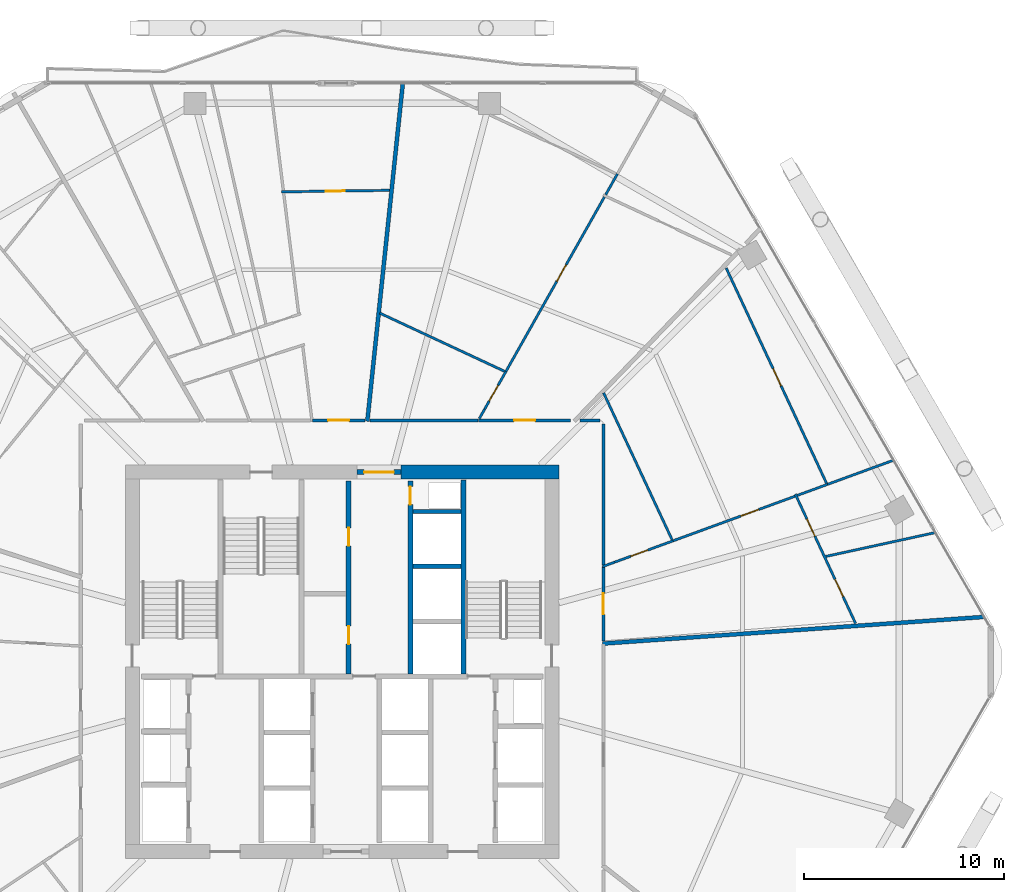
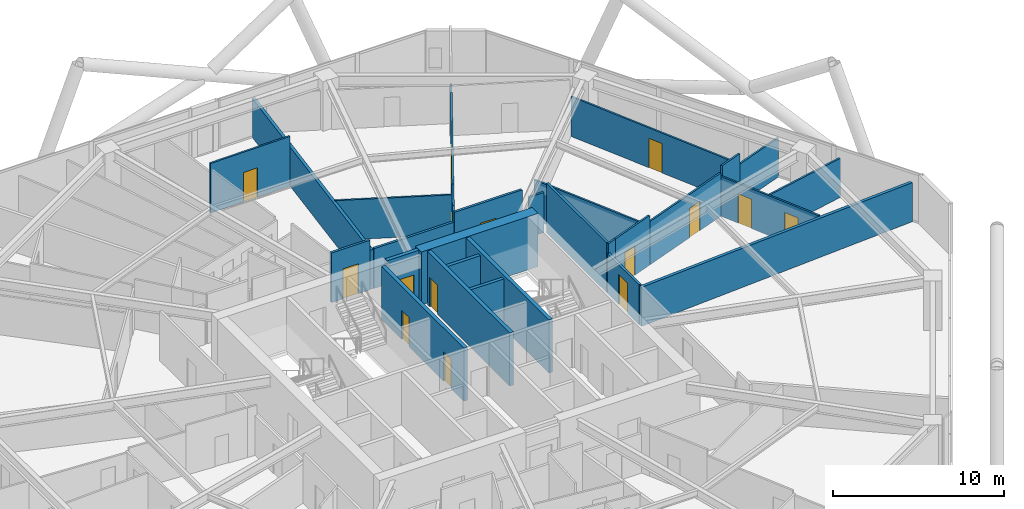
# One storey, part 31 of 35: 30 walls, 15 doors, 15 openings.
"""IFC4 building model written with IfcOpenShell, lengths in metres."""

import ifcopenshell
import ifcopenshell.guid

model = None  # the IFC model being written
_history = None  # IfcOwnerHistory: only IFC2X3 demands one
_inside = {}  # id of a spatial element -> (the spatial element, [elements in it])
_under = {}  # id of a project, library or spatial element -> (it, [spatial elements below it])
_declared = {}  # id of a project -> (the project, [libraries it declares])
_typed = {}  # id of a type object -> (the type object, [elements of that type])
_made_of = {}  # id of a material, layer set ... -> (it, [elements and type objects made of it])


def new_model(schema):
    """Start an empty IFC model of exactly this schema.

    Asked for "IFC4X3", IfcOpenShell would pick the latest addendum, in which some entities
    have other attributes; the version numbers below select the first issue.
    IFC2X3 requires an IfcOwnerHistory on every rooted entity: one is made here for all.
    """
    global model, _history
    if schema == "IFC4X3":
        model = ifcopenshell.file(schema_version=(4, 3, 0, 0))
    else:
        model = ifcopenshell.file(schema=schema)
    _inside.clear()
    _under.clear()
    _declared.clear()
    _typed.clear()
    _made_of.clear()
    _history = None
    if model.schema == "IFC2X3":
        org = make("IfcOrganization", Name="unknown")
        user = make(
            "IfcPersonAndOrganization",
            ThePerson=make("IfcPerson", FamilyName="unknown"),
            TheOrganization=org,
        )
        app = make(
            "IfcApplication",
            ApplicationDeveloper=org,
            Version="unknown",
            ApplicationFullName="unknown",
            ApplicationIdentifier="unknown",
        )
        _history = make(
            "IfcOwnerHistory",
            OwningUser=user,
            OwningApplication=app,
            ChangeAction="ADDED",
            CreationDate=0,
        )
    return model


def make(cls, **values):
    """One entity of the class cls with the attributes given. An attribute that is None is left unset."""
    return model.create_entity(
        cls, **{name: value for name, value in values.items() if value is not None}
    )


def rooted(cls, **values):
    """An entity with a GlobalId (a new one), such as an element, a storey or a relation."""
    return make(cls, GlobalId=ifcopenshell.guid.new(), OwnerHistory=_history, **values)


def si_unit(unit_type, name, prefix=None):
    """IfcSIUnit, for example si_unit("LENGTHUNIT", "METRE", prefix="MILLI")."""
    return make("IfcSIUnit", UnitType=unit_type, Prefix=prefix, Name=name)


def assignment(units):
    """IfcUnitAssignment: the units of a project."""
    return None if units is None else make("IfcUnitAssignment", Units=units)


def point(xyz):
    """IfcCartesianPoint."""
    return None if xyz is None else make("IfcCartesianPoint", Coordinates=xyz)


def direction(xyz):
    """IfcDirection."""
    return None if xyz is None else make("IfcDirection", DirectionRatios=xyz)


def frame(location, z_axis=None, x_axis=None):
    """IfcAxis2Placement3D, a coordinate frame: its origin and axes. An axis left out is left unset."""
    return make(
        "IfcAxis2Placement3D",
        Location=point(location),
        Axis=direction(z_axis),
        RefDirection=direction(x_axis),
    )


def frame_2d(location, x_axis=None):
    """IfcAxis2Placement2D, a coordinate frame in the plane: its origin and x axis."""
    return make(
        "IfcAxis2Placement2D", Location=point(location), RefDirection=direction(x_axis)
    )


def origin():
    """The frame at (0, 0, 0) with its axes left unset."""
    return frame((0.0, 0.0, 0.0))


def place(relative_to, where):
    """IfcLocalPlacement: puts the frame where relative to a parent placement (None: the world)."""
    return make(
        "IfcLocalPlacement", PlacementRelTo=relative_to, RelativePlacement=where
    )


def context(
    kind, dimensions, precision=None, world=None, true_north=None, identifier=None
):
    """IfcGeometricRepresentationContext, for example the 3D "Model" context."""
    return make(
        "IfcGeometricRepresentationContext",
        ContextIdentifier=identifier,
        ContextType=kind,
        CoordinateSpaceDimension=dimensions,
        Precision=precision,
        WorldCoordinateSystem=world,
        TrueNorth=true_north,
    )


def subcontext(parent, identifier, kind, view, scale=None):
    """IfcGeometricRepresentationSubContext, for example "Body" below "Model"."""
    return make(
        "IfcGeometricRepresentationSubContext",
        ContextIdentifier=identifier,
        ContextType=kind,
        ParentContext=parent,
        TargetScale=scale,
        TargetView=view,
    )


def project(units=None, contexts=None):
    """IfcProject with its units and contexts."""
    return rooted(
        "IfcProject",
        Name="project",
        RepresentationContexts=contexts,
        UnitsInContext=assignment(units),
    )


def spatial(cls, under=None, at=None, **own):
    """A site, building, storey or space (cls), placed at a placement, below another one or the project."""
    s = rooted(cls, ObjectPlacement=at, **own)
    if under is not None:
        _under.setdefault(under.id(), (under, []))[1].append(s)
    return s


def profile(cls, at=None, kind="AREA", **sizes):
    """A parametric profile (cls). Its sizes go by their IFC names, for example OverallWidth=200.0."""
    return make(cls, ProfileType=kind, Position=at, **sizes)


def rectangle(**sizes):
    """IfcRectangleProfileDef."""
    return profile("IfcRectangleProfileDef", **sizes)


def extrude(swept, where, along, depth):
    """IfcExtrudedAreaSolid: the profile swept, set in the frame where, extruded along a direction by depth."""
    return make(
        "IfcExtrudedAreaSolid",
        SweptArea=swept,
        Position=where,
        ExtrudedDirection=direction(along),
        Depth=depth,
    )


def shape(context_of_items, identifier, shape_type, items):
    """IfcShapeRepresentation: the items that make up one representation, for example the "Body"."""
    return make(
        "IfcShapeRepresentation",
        ContextOfItems=context_of_items,
        RepresentationIdentifier=identifier,
        RepresentationType=shape_type,
        Items=items,
    )


def material(Name=None, Category=None):
    """IfcMaterial."""
    return make("IfcMaterial", Name=Name, Category=Category)


def layer(
    of_material, thickness, ventilated=None, Name=None, Category=None, Priority=None
):
    """IfcMaterialLayer: one layer of a wall or slab, of a material (None: an air gap)."""
    return make(
        "IfcMaterialLayer",
        Material=of_material,
        LayerThickness=thickness,
        IsVentilated=ventilated,
        Name=Name,
        Category=Category,
        Priority=Priority,
    )


def layer_set(layers, Name=None):
    """IfcMaterialLayerSet."""
    return make("IfcMaterialLayerSet", MaterialLayers=layers, LayerSetName=Name)


def made_of(thing, what):
    """Note that an element or type object is made of a material, layer set ...; save() writes the relation."""
    if what is not None:
        _made_of.setdefault(what.id(), (what, []))[1].append(thing)
    return thing


def type_object(cls, material=None, **own):
    """A type object (cls), such as IfcWallType, which elements share."""
    return made_of(rooted(cls, **own), material)


def element(
    cls,
    number,
    at=None,
    inside=None,
    cuts=None,
    type_object=None,
    material=None,
    context=None,
    identifier="Body",
    shape_type=None,
    held_by="IfcProductDefinitionShape",
    body=None,
    shapes=None,
    **own,
):
    """One element of the class cls, such as IfcWall. Its Tag is "e" and its number.

    at: its placement. inside: the storey or other place that contains it. cuts: it is an
    opening in that element (IfcRelVoidsElement). A single representation is given by context,
    identifier, shape_type and body (its items); several are given by shapes. held_by: the class
    of the entity that holds the representations. save() writes the other relations.
    """
    e = rooted(cls, Tag="e%d" % number, ObjectPlacement=at, **own)
    if body is not None:
        shapes = [shape(context, identifier, shape_type, body)]
    if shapes is not None:
        e.Representation = make(held_by, Representations=shapes)
    if inside is not None:
        _inside.setdefault(inside.id(), (inside, []))[1].append(e)
    if cuts is not None:
        rooted(
            "IfcRelVoidsElement", RelatingBuildingElement=cuts, RelatedOpeningElement=e
        )
    if type_object is not None:
        _typed.setdefault(type_object.id(), (type_object, []))[1].append(e)
    return made_of(e, material)


def fill(opening, filler):
    """IfcRelFillsElement: the door or window that sits in an opening."""
    return rooted(
        "IfcRelFillsElement",
        RelatingOpeningElement=opening,
        RelatedBuildingElement=filler,
    )


def aggregate(whole, parts):
    """IfcRelAggregates: a whole, such as a stair, and the parts it consists of."""
    return rooted("IfcRelAggregates", RelatingObject=whole, RelatedObjects=parts)


def save(model, path):
    """Write the relations noted so far, then the file.

    IfcRelAggregates (storeys below a building ...), IfcRelContainedInSpatialStructure (elements
    in a storey), IfcRelDefinesByType, IfcRelAssociatesMaterial and IfcRelDeclares: one each for
    every whole, place, type object, material and project.
    """
    for whole, parts in _under.values():
        aggregate(whole, parts)
    for where, things in _inside.values():
        rooted(
            "IfcRelContainedInSpatialStructure",
            RelatedElements=things,
            RelatingStructure=where,
        )
    for kind, things in _typed.values():
        rooted("IfcRelDefinesByType", RelatedObjects=things, RelatingType=kind)
    for what, things in _made_of.values():
        rooted("IfcRelAssociatesMaterial", RelatedObjects=things, RelatingMaterial=what)
    for by, libraries in _declared.values():
        rooted("IfcRelDeclares", RelatingContext=by, RelatedDefinitions=libraries)
    model.write(path)


model = new_model("IFC4")

# Units and contexts
model_context = context("Model", 3, precision=1e-05, world=origin(), true_north=direction((0.0, 1.0)))
body_context = subcontext(model_context, "Body", "Model", "MODEL_VIEW")
ifc_project = project(units=[si_unit("LENGTHUNIT", "METRE"), si_unit("AREAUNIT", "SQUARE_METRE"), si_unit("VOLUMEUNIT", "CUBIC_METRE"), si_unit("PLANEANGLEUNIT", "RADIAN"), si_unit("MASSUNIT", "GRAM", prefix="KILO")], contexts=[model_context])

# Site, building, storey
site_placement = place(None, origin())
site = spatial("IfcSite", under=ifc_project, at=site_placement, CompositionType="ELEMENT")
building_placement = place(site_placement, origin())
building = spatial("IfcBuilding", under=site, at=building_placement, Name="Zuhravey Tower", CompositionType="ELEMENT")
storey_placement = place(building_placement, frame((0.0, 0.0, 92.39990234375)))
storey = spatial("IfcBuildingStorey", under=building, at=storey_placement, Name="L22", CompositionType="ELEMENT", Elevation=92.39990234375)

# Wall
ifc_material_1 = material(Name="Concrete C60/75", Category="concrete")
ifc_layer_1 = layer(ifc_material_1, 0.699951171875)
ifc_layer_set_1 = layer_set([ifc_layer_1], Name="Concrete C60/75")
wall_type_1 = type_object("IfcWallType", Name="Core Shear Wall 700", PredefinedType="SHEAR", material=ifc_layer_set_1)
wall_1_placement = place(storey_placement, frame((46.85009765625, 41.5, 0.0), z_axis=(0.0, 0.0, 1.0), x_axis=(-1.0, 0.0, 0.0)))
element("IfcWall", 1, at=wall_1_placement, inside=storey, type_object=wall_type_1, Name="L22 North-East Core Shear Wall CW70", PredefinedType="SHEAR", context=body_context, shape_type="SweptSolid", body=[
    extrude(rectangle(XDim=7.900146484375, YDim=0.699951171875, at=frame_2d((3.9501953125, 0.0))), origin(), (0.0, 0.0, 1.0), 3.800048828125),
])

# Wall, opening, door
ifc_material_2 = material(Name="Gypsum fire-rated stud partition")
ifc_layer_2 = layer(ifc_material_2, 0.159912109375)
ifc_layer_set_2 = layer_set([ifc_layer_2], Name="Gypsum fire-rated stud partition")
wall_type_2 = type_object("IfcWallType", Name="Corridor Fire Partition 160", PredefinedType="PARTITIONING", material=ifc_layer_set_2)
wall_2_placement = place(storey_placement, frame((49.080078125, 33.049560546875, 0.0), z_axis=(0.0, 0.0, 1.0), x_axis=(0.0, 1.0, 0.0)))
wall_2 = element("IfcWall", 2, at=wall_2_placement, inside=storey, type_object=wall_type_2, Name="L22 IW16 Partition 024", PredefinedType="PARTITIONING", context=body_context, shape_type="SweptSolid", body=[
    extrude(rectangle(XDim=3.71044921875, YDim=0.159912109375, at=frame_2d((1.855224609375, 0.0))), origin(), (0.0, 0.0, 1.0), 2.85009765625),
])
opening_1_placement = place(wall_2_placement, frame((1.330322265625, 0.0, 0.0)))
opening_1 = element("IfcOpeningElement", 3, at=opening_1_placement, cuts=wall_2, Name="Opening APD1", PredefinedType="OPENING", context=body_context, shape_type="SweptSolid", body=[
    extrude(rectangle(XDim=1.050048828125, YDim=2.14990234375, at=frame_2d((0.52490234375, 1.074951171875))), frame((0.0, 0.092041015625, 0.0), z_axis=(0.0, -1.0, 0.0), x_axis=(1.0, 0.0, 0.0)), (0.0, 0.0, 1.0), 0.183837890625),
])
ifc_material_3 = material(Name="Solid-core oak fire-rated leaf")
door_type_1 = type_object("IfcDoorType", Name="Apartment Entrance Fire Door 1050x2150", OperationType="NOTDEFINED", PredefinedType="DOOR", material=ifc_material_3)
door_1_placement = place(opening_1_placement, frame((1.050048828125, 0.0, 0.0), z_axis=(0.0, 0.0, 1.0), x_axis=(-1.0, 0.0, 0.0)))
door_1 = element("IfcDoor", 4, at=door_1_placement, inside=storey, type_object=door_type_1, Name="L22 Door 024.1", OperationType="SINGLE_SWING_LEFT", OverallHeight=2.14990234375, OverallWidth=1.050048828125, PredefinedType="DOOR", context=body_context, shape_type="SweptSolid", body=[
    extrude(rectangle(XDim=1.050048828125, YDim=2.14990234375, at=frame_2d((0.52490234375, 1.074951171875))), frame((0.0, 0.02490234375, 0.0), z_axis=(0.0, -1.0, 0.0), x_axis=(1.0, 0.0, 0.0)), (0.0, 0.0, 1.0), 0.050048828125),
])
fill(opening_1, door_1)

wall_3_placement = place(storey_placement, frame((47.435791015625, 44.080078125, 0.0), z_axis=(0.0, 0.0, 1.0), x_axis=(-1.0, 0.0, 0.0)))
wall_3 = element("IfcWall", 5, at=wall_3_placement, inside=storey, type_object=wall_type_2, Name="L22 IW16 Partition 030", PredefinedType="PARTITIONING", context=body_context, shape_type="SweptSolid", body=[
    extrude(rectangle(XDim=4.594970703125, YDim=0.159912109375, at=frame_2d((2.29736328125, 0.0))), origin(), (0.0, 0.0, 1.0), 3.550048828125),
])
opening_2_placement = place(wall_3_placement, frame((1.7724609375, 0.0, 0.0)))
opening_2 = element("IfcOpeningElement", 6, at=opening_2_placement, cuts=wall_3, Name="Opening APD1", PredefinedType="OPENING", context=body_context, shape_type="SweptSolid", body=[
    extrude(rectangle(XDim=1.050048828125, YDim=2.14990234375, at=frame_2d((0.52490234375, 1.074951171875))), frame((0.0, 0.092041015625, 0.0), z_axis=(0.0, -1.0, 0.0), x_axis=(1.0, 0.0, 0.0)), (0.0, 0.0, 1.0), 0.183837890625),
])
door_2_placement = place(opening_2_placement, frame((1.050048828125, 0.0, 0.0), z_axis=(0.0, 0.0, 1.0), x_axis=(-1.0, 0.0, 0.0)))
door_2 = element("IfcDoor", 7, at=door_2_placement, inside=storey, type_object=door_type_1, Name="L22 Door 030.1", OperationType="SINGLE_SWING_RIGHT", OverallHeight=2.14990234375, OverallWidth=1.050048828125, PredefinedType="DOOR", context=body_context, shape_type="SweptSolid", body=[
    extrude(rectangle(XDim=1.050048828125, YDim=2.14990234375, at=frame_2d((0.52490234375, 1.074951171875))), frame((0.0, 0.02490234375, 0.0), z_axis=(0.0, -1.0, 0.0), x_axis=(1.0, 0.0, 0.0)), (0.0, 0.0, 1.0), 0.050048828125),
])
fill(opening_2, door_2)

wall_4_placement = place(storey_placement, frame((37.14306640625, 44.080078125, 0.0), z_axis=(0.0, 0.0, 1.0), x_axis=(-1.0, 0.0, 0.0)))
wall_4 = element("IfcWall", 8, at=wall_4_placement, inside=storey, type_object=wall_type_2, Name="L22 IW16 Partition 034", PredefinedType="PARTITIONING", context=body_context, shape_type="SweptSolid", body=[
    extrude(rectangle(XDim=2.627685546875, YDim=0.159912109375, at=frame_2d((1.31396484375, 0.0))), origin(), (0.0, 0.0, 1.0), 3.550048828125),
])
opening_3_placement = place(wall_4_placement, frame((0.788818359375, 0.0, 0.0)))
opening_3 = element("IfcOpeningElement", 9, at=opening_3_placement, cuts=wall_4, Name="Opening APD1", PredefinedType="OPENING", context=body_context, shape_type="SweptSolid", body=[
    extrude(rectangle(XDim=1.050048828125, YDim=2.14990234375, at=frame_2d((0.52490234375, 1.074951171875))), frame((0.0, 0.092041015625, 0.0), z_axis=(0.0, -1.0, 0.0), x_axis=(1.0, 0.0, 0.0)), (0.0, 0.0, 1.0), 0.183837890625),
])
door_3_placement = place(opening_3_placement, frame((1.050048828125, 0.0, 0.0), z_axis=(0.0, 0.0, 1.0), x_axis=(-1.0, 0.0, 0.0)))
door_3 = element("IfcDoor", 10, at=door_3_placement, inside=storey, type_object=door_type_1, Name="L22 Door 034.1", OperationType="SINGLE_SWING_RIGHT", OverallHeight=2.14990234375, OverallWidth=1.050048828125, PredefinedType="DOOR", context=body_context, shape_type="SweptSolid", body=[
    extrude(rectangle(XDim=1.050048828125, YDim=2.14990234375, at=frame_2d((0.52490234375, 1.074951171875))), frame((0.0, 0.02490234375, 0.0), z_axis=(0.0, -1.0, 0.0), x_axis=(1.0, 0.0, 0.0)), (0.0, 0.0, 1.0), 0.050048828125),
])
fill(opening_3, door_3)

# Walls
wall_5_placement = place(storey_placement, frame((49.080078125, 36.853759765625, 0.0), z_axis=(0.0, 0.0, 1.0), x_axis=(0.0, 1.0, 0.0)))
element("IfcWall", 11, at=wall_5_placement, inside=storey, type_object=wall_type_2, Name="L22 IW16 Partition 119", PredefinedType="PARTITIONING", context=body_context, shape_type="SweptSolid", body=[
    extrude(rectangle(XDim=7.046142578125, YDim=0.159912109375, at=frame_2d((3.52294921875, 0.0))), origin(), (0.0, 0.0, 1.0), 3.550048828125),
])
wall_6_placement = place(storey_placement, frame((48.89990234375, 44.080078125, 0.0), z_axis=(0.0, 0.0, 1.0), x_axis=(-1.0, 0.0, 0.0)))
element("IfcWall", 12, at=wall_6_placement, inside=storey, type_object=wall_type_2, Name="L22 IW16 Partition 120", PredefinedType="PARTITIONING", context=body_context, shape_type="SweptSolid", body=[
    extrude(rectangle(XDim=1.0009765625, YDim=0.159912109375, at=frame_2d((0.50048828125, 0.0))), origin(), (0.0, 0.0, 1.0), 2.85009765625),
])
wall_7_placement = place(storey_placement, frame((42.794921875, 44.080078125, 0.0), z_axis=(0.0, 0.0, 1.0), x_axis=(-1.0, 0.0, 0.0)))
element("IfcWall", 13, at=wall_7_placement, inside=storey, type_object=wall_type_2, Name="L22 IW16 Partition 121", PredefinedType="PARTITIONING", context=body_context, shape_type="SweptSolid", body=[
    extrude(rectangle(XDim=5.3984375, YDim=0.159912109375, at=frame_2d((2.69921875, 0.0))), origin(), (0.0, 0.0, 1.0), 2.85009765625),
])

# Wall, opening, door
ifc_material_4 = material(Name="Concrete C50/60", Category="concrete")
ifc_layer_3 = layer(ifc_material_4, 0.25)
ifc_layer_set_3 = layer_set([ifc_layer_3], Name="Concrete C50/60")
wall_type_3 = type_object("IfcWallType", Name="Firefighting Shaft & Stair Wall 250", PredefinedType="SOLIDWALL", material=ifc_layer_set_3)
wall_8_placement = place(storey_placement, frame((36.760009765625, 41.5, 0.0), z_axis=(0.0, 0.0, 1.0), x_axis=(1.0, 0.0, 0.0)))
wall_8 = element("IfcWall", 14, at=wall_8_placement, inside=storey, type_object=wall_type_3, Name="L22 FW25 Shaft Wall 002", PredefinedType="SOLIDWALL", context=body_context, shape_type="SweptSolid", body=[
    extrude(rectangle(XDim=2.179931640625, YDim=0.25, at=frame_2d((1.08984375, 0.0))), origin(), (0.0, 0.0, 1.0), 3.800048828125),
])
opening_4_placement = place(wall_8_placement, frame((0.340087890625, 0.0, 0.0)))
opening_4 = element("IfcOpeningElement", 15, at=opening_4_placement, cuts=wall_8, Name="Opening FFD1", PredefinedType="OPENING", context=body_context, shape_type="SweptSolid", body=[
    extrude(rectangle(XDim=1.5, YDim=2.14990234375, at=frame_2d((0.75, 1.074951171875))), frame((0.0, 0.136962890625, 0.0), z_axis=(0.0, -1.0, 0.0), x_axis=(1.0, 0.0, 0.0)), (0.0, 0.0, 1.0), 0.27392578125),
])
ifc_material_5 = material(Name="Galvanised fire-rated steel leaf", Category="steel")
door_type_2 = type_object("IfcDoorType", Name="Firefighting Lobby Double Door 1500x2150", OperationType="DOUBLE_DOOR_SINGLE_SWING", PredefinedType="DOOR", material=ifc_material_5)
door_4_placement = place(opening_4_placement, origin())
door_4 = element("IfcDoor", 16, at=door_4_placement, inside=storey, type_object=door_type_2, Name="L22 North Lift Lobby Exit Door", OperationType="DOUBLE_DOOR_SINGLE_SWING", OverallHeight=2.14990234375, OverallWidth=1.5, PredefinedType="DOOR", context=body_context, shape_type="SweptSolid", body=[
    extrude(rectangle(XDim=1.5, YDim=2.14990234375, at=frame_2d((0.75, 1.074951171875))), frame((0.0, 0.02490234375, 0.0), z_axis=(0.0, -1.0, 0.0), x_axis=(1.0, 0.0, 0.0)), (0.0, 0.0, 1.0), 0.050048828125),
])
fill(opening_4, door_4)

# Wall
wall_9_placement = place(storey_placement, frame((42.074951171875, 31.39990234375, 0.0), z_axis=(0.0, 0.0, 1.0), x_axis=(0.0, 1.0, 0.0)))
element("IfcWall", 17, at=wall_9_placement, inside=storey, type_object=wall_type_3, Name="L22 FW25 Shaft Wall 006", PredefinedType="SOLIDWALL", context=body_context, shape_type="SweptSolid", body=[
    extrude(rectangle(XDim=9.7001953125, YDim=0.25, at=frame_2d((4.85009765625, 0.0))), origin(), (0.0, 0.0, 1.0), 3.800048828125),
])

# Wall, openings, doors
wall_10_placement = place(storey_placement, frame((36.324951171875, 31.39990234375, 0.0), z_axis=(0.0, 0.0, 1.0), x_axis=(0.0, 1.0, 0.0)))
wall_10 = element("IfcWall", 18, at=wall_10_placement, inside=storey, type_object=wall_type_3, Name="L22 FW25 Shaft Wall 007", PredefinedType="SOLIDWALL", context=body_context, shape_type="SweptSolid", body=[
    extrude(rectangle(XDim=9.650146484375, YDim=0.25, at=frame_2d((4.8251953125, 0.0))), origin(), (0.0, 0.0, 1.0), 3.800048828125),
])
opening_5_placement = place(wall_10_placement, frame((1.489990234375, 0.0, 0.0)))
opening_5 = element("IfcOpeningElement", 19, at=opening_5_placement, cuts=wall_10, Name="Opening RSD1", PredefinedType="OPENING", context=body_context, shape_type="SweptSolid", body=[
    extrude(rectangle(XDim=0.89990234375, YDim=2.10009765625, at=frame_2d((0.449951171875, 1.050048828125))), frame((0.0, 0.136962890625, 0.0), z_axis=(0.0, -1.0, 0.0), x_axis=(1.0, 0.0, 0.0)), (0.0, 0.0, 1.0), 0.27392578125),
])
opening_6_placement = place(wall_10_placement, frame((6.409912109375, 0.0, 0.0)))
opening_6 = element("IfcOpeningElement", 20, at=opening_6_placement, cuts=wall_10, Name="Opening RSD1", PredefinedType="OPENING", context=body_context, shape_type="SweptSolid", body=[
    extrude(rectangle(XDim=0.89990234375, YDim=2.10009765625, at=frame_2d((0.449951171875, 1.050048828125))), frame((0.0, 0.136962890625, 0.0), z_axis=(0.0, -1.0, 0.0), x_axis=(1.0, 0.0, 0.0)), (0.0, 0.0, 1.0), 0.27392578125),
])
ifc_material_6 = material(Name="Galvanised fire-rated steel access leaf", Category="steel")
door_type_3 = type_object("IfcDoorType", Name="Riser & Shaft Access Fire Door 900x2100", OperationType="NOTDEFINED", PredefinedType="DOOR", material=ifc_material_6)
door_5_placement = place(opening_5_placement, origin())
door_5 = element("IfcDoor", 21, at=door_5_placement, inside=storey, type_object=door_type_3, Name="L22 Core Cleaner Store Door", OperationType="SINGLE_SWING_RIGHT", OverallHeight=2.10009765625, OverallWidth=0.89990234375, PredefinedType="DOOR", context=body_context, shape_type="SweptSolid", body=[
    extrude(rectangle(XDim=0.89990234375, YDim=2.10009765625, at=frame_2d((0.449951171875, 1.050048828125))), frame((0.0, 0.02490234375, 0.0), z_axis=(0.0, -1.0, 0.0), x_axis=(1.0, 0.0, 0.0)), (0.0, 0.0, 1.0), 0.050048828125),
])
fill(opening_5, door_5)
door_6_placement = place(opening_6_placement, origin())
door_6 = element("IfcDoor", 22, at=door_6_placement, inside=storey, type_object=door_type_3, Name="L22 Core Pantry and Tea Room Door", OperationType="SINGLE_SWING_LEFT", OverallHeight=2.10009765625, OverallWidth=0.89990234375, PredefinedType="DOOR", context=body_context, shape_type="SweptSolid", body=[
    extrude(rectangle(XDim=0.89990234375, YDim=2.10009765625, at=frame_2d((0.449951171875, 1.050048828125))), frame((0.0, 0.02490234375, 0.0), z_axis=(0.0, -1.0, 0.0), x_axis=(1.0, 0.0, 0.0)), (0.0, 0.0, 1.0), 0.050048828125),
])
fill(opening_6, door_6)

# Wall, opening, door
wall_11_placement = place(storey_placement, frame((39.425048828125, 31.39990234375, 0.0), z_axis=(0.0, 0.0, 1.0), x_axis=(0.0, 1.0, 0.0)))
wall_11 = element("IfcWall", 23, at=wall_11_placement, inside=storey, type_object=wall_type_3, Name="L22 FW25 Shaft Wall 008", PredefinedType="SOLIDWALL", context=body_context, shape_type="SweptSolid", body=[
    extrude(rectangle(XDim=9.650146484375, YDim=0.25, at=frame_2d((4.8251953125, 0.0))), origin(), (0.0, 0.0, 1.0), 3.800048828125),
])
opening_7_placement = place(wall_11_placement, frame((8.469970703125, 0.0, 0.0)))
opening_7 = element("IfcOpeningElement", 24, at=opening_7_placement, cuts=wall_11, Name="Opening RSD1", PredefinedType="OPENING", context=body_context, shape_type="SweptSolid", body=[
    extrude(rectangle(XDim=0.89990234375, YDim=2.10009765625, at=frame_2d((0.449951171875, 1.050048828125))), frame((0.0, 0.136962890625, 0.0), z_axis=(0.0, -1.0, 0.0), x_axis=(1.0, 0.0, 0.0)), (0.0, 0.0, 1.0), 0.27392578125),
])
door_7_placement = place(opening_7_placement, origin())
door_7 = element("IfcDoor", 25, at=door_7_placement, inside=storey, type_object=door_type_3, Name="L22 North Riser Door", OperationType="SINGLE_SWING_RIGHT", OverallHeight=2.10009765625, OverallWidth=0.89990234375, PredefinedType="DOOR", context=body_context, shape_type="SweptSolid", body=[
    extrude(rectangle(XDim=0.89990234375, YDim=2.10009765625, at=frame_2d((0.449951171875, 1.050048828125))), frame((0.0, 0.02490234375, 0.0), z_axis=(0.0, -1.0, 0.0), x_axis=(1.0, 0.0, 0.0)), (0.0, 0.0, 1.0), 0.050048828125),
])
fill(opening_7, door_7)

# Walls
ifc_material_7 = material(Name="Gypsum double-stud party assembly")
ifc_layer_4 = layer(ifc_material_7, 0.199951171875)
ifc_layer_set_4 = layer_set([ifc_layer_4], Name="Gypsum double-stud party assembly")
wall_type_4 = type_object("IfcWallType", Name="Inter-Tenancy Party Wall 200", PredefinedType="PARTITIONING", material=ifc_layer_set_4)
wall_12_placement = place(storey_placement, frame((49.0400390625, 32.911865234375, 0.0), z_axis=(0.0, 0.0, 1.0), x_axis=(0.99756386753, 0.069759086856, 0.0)))
element("IfcWall", 26, at=wall_12_placement, inside=storey, type_object=wall_type_4, Name="L22 IW20 Partition 070", PredefinedType="PARTITIONING", context=body_context, shape_type="SweptSolid", body=[
    extrude(rectangle(XDim=19.147216796875, YDim=0.199951171875, at=frame_2d((9.57373046875, 0.0))), origin(), (0.0, 0.0, 1.0), 2.800048828125),
])
wall_13_placement = place(storey_placement, frame((37.265380859375, 44.0400390625, 0.0), z_axis=(0.0, 0.0, 1.0), x_axis=(0.104535371824, 0.994521169226, 0.0)))
element("IfcWall", 27, at=wall_13_placement, inside=storey, type_object=wall_type_4, Name="L22 IW20 Partition 081", PredefinedType="PARTITIONING", context=body_context, shape_type="SweptSolid", body=[
    extrude(rectangle(XDim=17.01171875, YDim=0.199951171875, at=frame_2d((8.505859375, 0.0))), origin(), (0.0, 0.0, 1.0), 2.800048828125),
])
ifc_material_8 = material(Name="Gypsum acoustic stud assembly")
ifc_layer_5 = layer(ifc_material_8, 0.219970703125)
ifc_layer_set_5 = layer_set([ifc_layer_5], Name="Gypsum acoustic stud assembly")
wall_type_5 = type_object("IfcWallType", Name="School Acoustic Compartment Wall 220", PredefinedType="PARTITIONING", material=ifc_layer_set_5)
for number, where, z_axis, x_axis, name in (
    (28, (39.55810546875, 36.77490234375, 0.0), (0.0, 0.0, 1.0), (1.0, 0.0, 0.0), "L22 IW22 Partition 064"),
    (29, (39.55810546875, 39.52490234375, 0.0), (0.0, 0.0, 1.0), (1.0, 0.0, 0.0), "L22 IW22 Partition 065"),
):
    element("IfcWall", number, at=place(storey_placement, frame(where, z_axis=z_axis, x_axis=x_axis)), inside=storey, type_object=wall_type_5, Name=name, PredefinedType="PARTITIONING", context=body_context, shape_type="SweptSolid", body=[
        extrude(rectangle(XDim=2.3837890625, YDim=0.219970703125, at=frame_2d((1.19189453125, 0.0))), origin(), (0.0, 0.0, 1.0), 3.550048828125),
    ])

# Wall, openings, doors
ifc_material_9 = material(Name="Gypsum metal-stud partition")
ifc_layer_6 = layer(ifc_material_9, 0.1201171875)
ifc_layer_set_6 = layer_set([ifc_layer_6], Name="Gypsum metal-stud partition")
wall_type_6 = type_object("IfcWallType", Name="Unit Internal Partition 120", PredefinedType="PARTITIONING", material=ifc_layer_set_6)
wall_14_placement = place(storey_placement, frame((61.703857421875, 33.922607421875, 0.0), z_axis=(0.0, 0.0, 1.0), x_axis=(-0.42261048954, 0.906311411233, 0.0)))
wall_14 = element("IfcWall", 30, at=wall_14_placement, inside=storey, type_object=wall_type_6, Name="L22 IW12 Partition 019", PredefinedType="PARTITIONING", context=body_context, shape_type="SweptSolid", body=[
    extrude(rectangle(XDim=7.1455078125, YDim=0.1201171875, at=frame_2d((3.57275390625, 0.0))), origin(), (0.0, 0.0, 1.0), 2.85009765625),
])
opening_8_placement = place(wall_14_placement, frame((1.486328125, 0.0, 0.0)))
opening_8 = element("IfcOpeningElement", 31, at=opening_8_placement, cuts=wall_14, Name="Opening IND1", PredefinedType="OPENING", context=body_context, shape_type="SweptSolid", body=[
    extrude(rectangle(XDim=0.949951171875, YDim=2.10009765625, at=frame_2d((0.47509765625, 1.050048828125))), frame((0.0, 0.072021484375, 0.0), z_axis=(0.0, -1.0, 0.0), x_axis=(1.0, 0.0, 0.0)), (0.0, 0.0, 1.0), 0.14404296875),
])
opening_9_placement = place(wall_14_placement, frame((4.81640625, 0.0, 0.0)))
opening_9 = element("IfcOpeningElement", 32, at=opening_9_placement, cuts=wall_14, Name="Opening IND1", PredefinedType="OPENING", context=body_context, shape_type="SweptSolid", body=[
    extrude(rectangle(XDim=0.949951171875, YDim=2.10009765625, at=frame_2d((0.47509765625, 1.050048828125))), frame((0.0, 0.072021484375, 0.0), z_axis=(0.0, -1.0, 0.0), x_axis=(1.0, 0.0, 0.0)), (0.0, 0.0, 1.0), 0.14404296875),
])
ifc_material_10 = material(Name="Painted engineered timber leaf", Category="wood")
door_type_4 = type_object("IfcDoorType", Name="Internal Room & Bedroom Door 950x2100", OperationType="NOTDEFINED", PredefinedType="DOOR", material=ifc_material_10)
door_8_placement = place(opening_8_placement, frame((0.949951171875, 0.0, 0.0), z_axis=(0.0, 0.0, 1.0), x_axis=(-1.0, 0.0, 0.0)))
door_8 = element("IfcDoor", 33, at=door_8_placement, inside=storey, type_object=door_type_4, Name="Apartment L22-01 Family Study Door", OperationType="SINGLE_SWING_RIGHT", OverallHeight=2.10009765625, OverallWidth=0.949951171875, PredefinedType="DOOR", context=body_context, shape_type="SweptSolid", body=[
    extrude(rectangle(XDim=0.949951171875, YDim=2.10009765625, at=frame_2d((0.47509765625, 1.050048828125))), frame((0.0, 0.02490234375, 0.0), z_axis=(0.0, -1.0, 0.0), x_axis=(1.0, 0.0, 0.0)), (0.0, 0.0, 1.0), 0.050048828125),
])
fill(opening_8, door_8)
door_9_placement = place(opening_9_placement, frame((0.949951171875, 0.0, 0.0), z_axis=(0.0, 0.0, 1.0), x_axis=(-1.0, 0.0, 0.0)))
door_9 = element("IfcDoor", 34, at=door_9_placement, inside=storey, type_object=door_type_4, Name="Apartment L22-01 Dining Room Door", OperationType="SINGLE_SWING_LEFT", OverallHeight=2.10009765625, OverallWidth=0.949951171875, PredefinedType="DOOR", context=body_context, shape_type="SweptSolid", body=[
    extrude(rectangle(XDim=0.949951171875, YDim=2.10009765625, at=frame_2d((0.47509765625, 1.050048828125))), frame((0.0, 0.02490234375, 0.0), z_axis=(0.0, -1.0, 0.0), x_axis=(1.0, 0.0, 0.0)), (0.0, 0.0, 1.0), 0.050048828125),
])
fill(opening_9, door_9)

# Wall, opening, door
wall_15_placement = place(storey_placement, frame((49.64990234375, 36.98974609375, 0.0), z_axis=(0.0, 0.0, 1.0), x_axis=(0.93920992581, 0.343343436314, 0.0)))
wall_15 = element("IfcWall", 35, at=wall_15_placement, inside=storey, type_object=wall_type_6, Name="L22 IW12 Partition 020", PredefinedType="PARTITIONING", context=body_context, shape_type="SweptSolid", body=[
    extrude(rectangle(XDim=3.110107421875, YDim=0.1201171875, at=frame_2d((1.55517578125, 0.0))), origin(), (0.0, 0.0, 1.0), 3.550048828125),
])
opening_10_placement = place(wall_15_placement, frame((0.856201171875, 0.0, 0.0)))
opening_10 = element("IfcOpeningElement", 36, at=opening_10_placement, cuts=wall_15, Name="Opening WCD1", PredefinedType="OPENING", context=body_context, shape_type="SweptSolid", body=[
    extrude(rectangle(XDim=0.89990234375, YDim=2.10009765625, at=frame_2d((0.449951171875, 1.050048828125))), frame((0.0, 0.072021484375, 0.0), z_axis=(0.0, -1.0, 0.0), x_axis=(1.0, 0.0, 0.0)), (0.0, 0.0, 1.0), 0.14404296875),
])
ifc_material_11 = material(Name="Moisture-resistant timber leaf", Category="wood")
door_type_5 = type_object("IfcDoorType", Name="Bathroom & WC Internal Door 900x2100", OperationType="NOTDEFINED", PredefinedType="DOOR", material=ifc_material_11)
door_10_placement = place(opening_10_placement, origin())
door_10 = element("IfcDoor", 37, at=door_10_placement, inside=storey, type_object=door_type_5, Name="Apartment L22-01 Bathroom Door", OperationType="SINGLE_SWING_RIGHT", OverallHeight=2.10009765625, OverallWidth=0.89990234375, PredefinedType="DOOR", context=body_context, shape_type="SweptSolid", body=[
    extrude(rectangle(XDim=0.89990234375, YDim=2.10009765625, at=frame_2d((0.449951171875, 1.050048828125))), frame((0.0, 0.02490234375, 0.0), z_axis=(0.0, -1.0, 0.0), x_axis=(1.0, 0.0, 0.0)), (0.0, 0.0, 1.0), 0.050048828125),
])
fill(opening_10, door_10)

wall_16_placement = place(storey_placement, frame((52.571044921875, 38.0576171875, 0.0), z_axis=(0.0, 0.0, 1.0), x_axis=(0.93922057819, 0.343314295515, 0.0)))
wall_16 = element("IfcWall", 38, at=wall_16_placement, inside=storey, type_object=wall_type_6, Name="L22 IW12 Partition 021", PredefinedType="PARTITIONING", context=body_context, shape_type="SweptSolid", body=[
    extrude(rectangle(XDim=6.485595703125, YDim=0.1201171875, at=frame_2d((3.24267578125, 0.0))), origin(), (0.0, 0.0, 1.0), 3.10009765625),
])
opening_11_placement = place(wall_16_placement, frame((3.61572265625, 0.0, 0.0)))
opening_11 = element("IfcOpeningElement", 39, at=opening_11_placement, cuts=wall_16, Name="Opening IND1", PredefinedType="OPENING", context=body_context, shape_type="SweptSolid", body=[
    extrude(rectangle(XDim=0.949951171875, YDim=2.10009765625, at=frame_2d((0.47509765625, 1.050048828125))), frame((0.0, 0.072021484375, 0.0), z_axis=(0.0, -1.0, 0.0), x_axis=(1.0, 0.0, 0.0)), (0.0, 0.0, 1.0), 0.14404296875),
])
door_11_placement = place(opening_11_placement, origin())
door_11 = element("IfcDoor", 40, at=door_11_placement, inside=storey, type_object=door_type_4, Name="Apartment L22-01 Home Office Door", OperationType="SINGLE_SWING_LEFT", OverallHeight=2.10009765625, OverallWidth=0.949951171875, PredefinedType="DOOR", context=body_context, shape_type="SweptSolid", body=[
    extrude(rectangle(XDim=0.949951171875, YDim=2.10009765625, at=frame_2d((0.47509765625, 1.050048828125))), frame((0.0, 0.02490234375, 0.0), z_axis=(0.0, -1.0, 0.0), x_axis=(1.0, 0.0, 0.0)), (0.0, 0.0, 1.0), 0.050048828125),
])
fill(opening_11, door_11)

# Wall
wall_17_placement = place(storey_placement, frame((58.79052734375, 40.3310546875, 0.0), z_axis=(0.0, 0.0, 1.0), x_axis=(0.93917179076, 0.343447736114, 0.0)))
element("IfcWall", 41, at=wall_17_placement, inside=storey, type_object=wall_type_6, Name="L22 IW12 Partition 022", PredefinedType="PARTITIONING", context=body_context, shape_type="SweptSolid", body=[
    extrude(rectangle(XDim=1.609375, YDim=0.1201171875, at=frame_2d((0.8046875, 0.0))), origin(), (0.0, 0.0, 1.0), 3.550048828125),
])

# Wall, opening, door
wall_18_placement = place(storey_placement, frame((60.249755859375, 40.93701171875, 0.0), z_axis=(0.0, 0.0, 1.0), x_axis=(-0.42261779654, 0.906308003963, 0.0)))
wall_18 = element("IfcWall", 42, at=wall_18_placement, inside=storey, type_object=wall_type_6, Name="L22 IW12 Partition 023", PredefinedType="PARTITIONING", context=body_context, shape_type="SweptSolid", body=[
    extrude(rectangle(XDim=11.884765625, YDim=0.1201171875, at=frame_2d((5.9423828125, 0.0))), origin(), (0.0, 0.0, 1.0), 2.85009765625),
])
opening_12_placement = place(wall_18_placement, frame((5.383056640625, 0.0, 0.0)))
opening_12 = element("IfcOpeningElement", 43, at=opening_12_placement, cuts=wall_18, Name="Opening IND1", PredefinedType="OPENING", context=body_context, shape_type="SweptSolid", body=[
    extrude(rectangle(XDim=0.949951171875, YDim=2.10009765625, at=frame_2d((0.47509765625, 1.050048828125))), frame((0.0, 0.072021484375, 0.0), z_axis=(0.0, -1.0, 0.0), x_axis=(1.0, 0.0, 0.0)), (0.0, 0.0, 1.0), 0.14404296875),
])
door_12_placement = place(opening_12_placement, frame((0.949951171875, 0.0, 0.0), z_axis=(0.0, 0.0, 1.0), x_axis=(-1.0, 0.0, 0.0)))
door_12 = element("IfcDoor", 44, at=door_12_placement, inside=storey, type_object=door_type_4, Name="Apartment L22-01 Bedroom 1 Door", OperationType="SINGLE_SWING_RIGHT", OverallHeight=2.10009765625, OverallWidth=0.949951171875, PredefinedType="DOOR", context=body_context, shape_type="SweptSolid", body=[
    extrude(rectangle(XDim=0.949951171875, YDim=2.10009765625, at=frame_2d((0.47509765625, 1.050048828125))), frame((0.0, 0.02490234375, 0.0), z_axis=(0.0, -1.0, 0.0), x_axis=(1.0, 0.0, 0.0)), (0.0, 0.0, 1.0), 0.050048828125),
])
fill(opening_12, door_12)

wall_19_placement = place(storey_placement, frame((43.139404296875, 44.64990234375, 0.0), z_axis=(0.0, 0.0, 1.0), x_axis=(0.491544748093, 0.870852318492, 0.0)))
wall_19 = element("IfcWall", 45, at=wall_19_placement, inside=storey, type_object=wall_type_6, Name="L22 IW12 Partition 026", PredefinedType="PARTITIONING", context=body_context, shape_type="SweptSolid", body=[
    extrude(rectangle(XDim=2.16650390625, YDim=0.1201171875, at=frame_2d((1.083251953125, 0.0))), origin(), (0.0, 0.0, 1.0), 3.550048828125),
])
opening_13_placement = place(wall_19_placement, frame((0.459716796875, 0.0, 0.0)))
opening_13 = element("IfcOpeningElement", 46, at=opening_13_placement, cuts=wall_19, Name="Opening WCD1", PredefinedType="OPENING", context=body_context, shape_type="SweptSolid", body=[
    extrude(rectangle(XDim=0.89990234375, YDim=2.10009765625, at=frame_2d((0.449951171875, 1.050048828125))), frame((0.0, 0.072021484375, 0.0), z_axis=(0.0, -1.0, 0.0), x_axis=(1.0, 0.0, 0.0)), (0.0, 0.0, 1.0), 0.14404296875),
])
door_13_placement = place(opening_13_placement, origin())
door_13 = element("IfcDoor", 47, at=door_13_placement, inside=storey, type_object=door_type_5, Name="Apartment L22-02 Bathroom Door", OperationType="SINGLE_SWING_LEFT", OverallHeight=2.10009765625, OverallWidth=0.89990234375, PredefinedType="DOOR", context=body_context, shape_type="SweptSolid", body=[
    extrude(rectangle(XDim=0.89990234375, YDim=2.10009765625, at=frame_2d((0.449951171875, 1.050048828125))), frame((0.0, 0.02490234375, 0.0), z_axis=(0.0, -1.0, 0.0), x_axis=(1.0, 0.0, 0.0)), (0.0, 0.0, 1.0), 0.050048828125),
])
fill(opening_13, door_13)

wall_20_placement = place(storey_placement, frame((44.204345703125, 46.53662109375, 0.0), z_axis=(0.0, 0.0, 1.0), x_axis=(0.491507930141, 0.870873099027, 0.0)))
wall_20 = element("IfcWall", 48, at=wall_20_placement, inside=storey, type_object=wall_type_6, Name="L22 IW12 Partition 027", PredefinedType="PARTITIONING", context=body_context, shape_type="SweptSolid", body=[
    extrude(rectangle(XDim=10.018798828125, YDim=0.1201171875, at=frame_2d((5.00927734375, 0.0))), origin(), (0.0, 0.0, 1.0), 3.10009765625),
])
opening_14_placement = place(wall_20_placement, frame((5.17626953125, 0.0, 0.0)))
opening_14 = element("IfcOpeningElement", 49, at=opening_14_placement, cuts=wall_20, Name="Opening IND1", PredefinedType="OPENING", context=body_context, shape_type="SweptSolid", body=[
    extrude(rectangle(XDim=0.949951171875, YDim=2.10009765625, at=frame_2d((0.47509765625, 1.050048828125))), frame((0.0, 0.072021484375, 0.0), z_axis=(0.0, -1.0, 0.0), x_axis=(1.0, 0.0, 0.0)), (0.0, 0.0, 1.0), 0.14404296875),
])
door_14_placement = place(opening_14_placement, origin())
door_14 = element("IfcDoor", 50, at=door_14_placement, inside=storey, type_object=door_type_4, Name="Apartment L22-02 Home Office Door", OperationType="SINGLE_SWING_RIGHT", OverallHeight=2.10009765625, OverallWidth=0.949951171875, PredefinedType="DOOR", context=body_context, shape_type="SweptSolid", body=[
    extrude(rectangle(XDim=0.949951171875, YDim=2.10009765625, at=frame_2d((0.47509765625, 1.050048828125))), frame((0.0, 0.02490234375, 0.0), z_axis=(0.0, -1.0, 0.0), x_axis=(1.0, 0.0, 0.0)), (0.0, 0.0, 1.0), 0.050048828125),
])
fill(opening_14, door_14)

# Wall
wall_21_placement = place(storey_placement, frame((49.19580078125, 55.38037109375, 0.0), z_axis=(0.0, 0.0, 1.0), x_axis=(0.491432242221, 0.870915811836, 0.0)))
element("IfcWall", 51, at=wall_21_placement, inside=storey, type_object=wall_type_6, Name="L22 IW12 Partition 028", PredefinedType="PARTITIONING", context=body_context, shape_type="SweptSolid", body=[
    extrude(rectangle(XDim=1.197265625, YDim=0.1201171875, at=frame_2d((0.5986328125, 0.0))), origin(), (0.0, 0.0, 1.0), 2.800048828125),
])

# Wall, opening, door
wall_22_placement = place(storey_placement, frame((38.372802734375, 55.599609375, 0.0), z_axis=(0.0, 0.0, 1.0), x_axis=(-0.999902567538, -0.01395906268, 0.0)))
wall_22 = element("IfcWall", 52, at=wall_22_placement, inside=storey, type_object=wall_type_6, Name="L22 IW12 Partition 031", PredefinedType="PARTITIONING", context=body_context, shape_type="SweptSolid", body=[
    extrude(rectangle(XDim=5.404296875, YDim=0.1201171875, at=frame_2d((2.7021484375, 0.0))), origin(), (0.0, 0.0, 1.0), 3.550048828125),
])
opening_15_placement = place(wall_22_placement, frame((2.22705078125, 0.0, 0.0)))
opening_15 = element("IfcOpeningElement", 53, at=opening_15_placement, cuts=wall_22, Name="Opening IND1", PredefinedType="OPENING", context=body_context, shape_type="SweptSolid", body=[
    extrude(rectangle(XDim=0.949951171875, YDim=2.10009765625, at=frame_2d((0.47509765625, 1.050048828125))), frame((0.0, 0.072021484375, 0.0), z_axis=(0.0, -1.0, 0.0), x_axis=(1.0, 0.0, 0.0)), (0.0, 0.0, 1.0), 0.14404296875),
])
door_15_placement = place(opening_15_placement, frame((0.949951171875, 0.0, 0.0), z_axis=(0.0, 0.0, 1.0), x_axis=(-1.0, 0.0, 0.0)))
door_15 = element("IfcDoor", 54, at=door_15_placement, inside=storey, type_object=door_type_4, Name="Apartment L22-03 Family Study Door", OperationType="SINGLE_SWING_LEFT", OverallHeight=2.10009765625, OverallWidth=0.949951171875, PredefinedType="DOOR", context=body_context, shape_type="SweptSolid", body=[
    extrude(rectangle(XDim=0.949951171875, YDim=2.10009765625, at=frame_2d((0.47509765625, 1.050048828125))), frame((0.0, 0.02490234375, 0.0), z_axis=(0.0, -1.0, 0.0), x_axis=(1.0, 0.0, 0.0)), (0.0, 0.0, 1.0), 0.050048828125),
])
fill(opening_15, door_15)

# Walls
wall_23_placement = place(storey_placement, frame((60.21533203125, 37.275390625, 0.0), z_axis=(0.0, 0.0, 1.0), x_axis=(0.977079889422, 0.212872942592, 0.0)))
element("IfcWall", 55, at=wall_23_placement, inside=storey, type_object=wall_type_6, Name="L22 IW12 Partition 071", PredefinedType="PARTITIONING", context=body_context, shape_type="SweptSolid", body=[
    extrude(rectangle(XDim=5.647216796875, YDim=0.1201171875, at=frame_2d((2.82373046875, 0.0))), origin(), (0.0, 0.0, 1.0), 2.800048828125),
])
wall_24_placement = place(storey_placement, frame((49.03662109375, 36.765380859375, 0.0), z_axis=(0.0, 0.0, 1.0), x_axis=(0.939125794288, 0.343573489232, 0.0)))
element("IfcWall", 56, at=wall_24_placement, inside=storey, type_object=wall_type_6, Name="L22 IW12 Partition 072", PredefinedType="PARTITIONING", context=body_context, shape_type="SweptSolid", body=[
    extrude(rectangle(XDim=0.653076171875, YDim=0.1201171875, at=frame_2d((0.32666015625, 0.0))), origin(), (0.0, 0.0, 1.0), 3.550048828125),
])
wall_25_placement = place(storey_placement, frame((60.302001953125, 40.8837890625, 0.0), z_axis=(0.0, 0.0, 1.0), x_axis=(0.939220300938, 0.343315054005, 0.0)))
element("IfcWall", 57, at=wall_25_placement, inside=storey, type_object=wall_type_6, Name="L22 IW12 Partition 073", PredefinedType="PARTITIONING", context=body_context, shape_type="SweptSolid", body=[
    extrude(rectangle(XDim=3.52783203125, YDim=0.1201171875, at=frame_2d((1.763916015625, 0.0))), origin(), (0.0, 0.0, 1.0), 2.800048828125),
])
wall_26_placement = place(storey_placement, frame((52.518798828125, 38.11083984375, 0.0), z_axis=(0.0, 0.0, 1.0), x_axis=(-0.422610316209, 0.906311492057, 0.0)))
element("IfcWall", 58, at=wall_26_placement, inside=storey, type_object=wall_type_6, Name="L22 IW12 Partition 074", PredefinedType="PARTITIONING", context=body_context, shape_type="SweptSolid", body=[
    extrude(rectangle(XDim=8.112548828125, YDim=0.1201171875, at=frame_2d((4.05615234375, 0.0))), origin(), (0.0, 0.0, 1.0), 2.85009765625),
])
wall_27_placement = place(storey_placement, frame((42.867431640625, 44.16796875, 0.0), z_axis=(0.0, 0.0, 1.0), x_axis=(0.491475647569, 0.870891318045, 0.0)))
element("IfcWall", 59, at=wall_27_placement, inside=storey, type_object=wall_type_6, Name="L22 IW12 Partition 077", PredefinedType="PARTITIONING", context=body_context, shape_type="SweptSolid", body=[
    extrude(rectangle(XDim=0.553466796875, YDim=0.1201171875, at=frame_2d((0.27685546875, 0.0))), origin(), (0.0, 0.0, 1.0), 3.550048828125),
])
wall_28_placement = place(storey_placement, frame((44.130126953125, 46.54345703125, 0.0), z_axis=(0.0, 0.0, 1.0), x_axis=(-0.90630173442, 0.422631241376, 0.0)))
element("IfcWall", 60, at=wall_28_placement, inside=storey, type_object=wall_type_6, Name="L22 IW12 Partition 079", PredefinedType="PARTITIONING", context=body_context, shape_type="SweptSolid", body=[
    extrude(rectangle(XDim=6.887451171875, YDim=0.1201171875, at=frame_2d((3.44384765625, 0.0))), origin(), (0.0, 0.0, 1.0), 2.85009765625),
])

save(model, "model.ifc")
